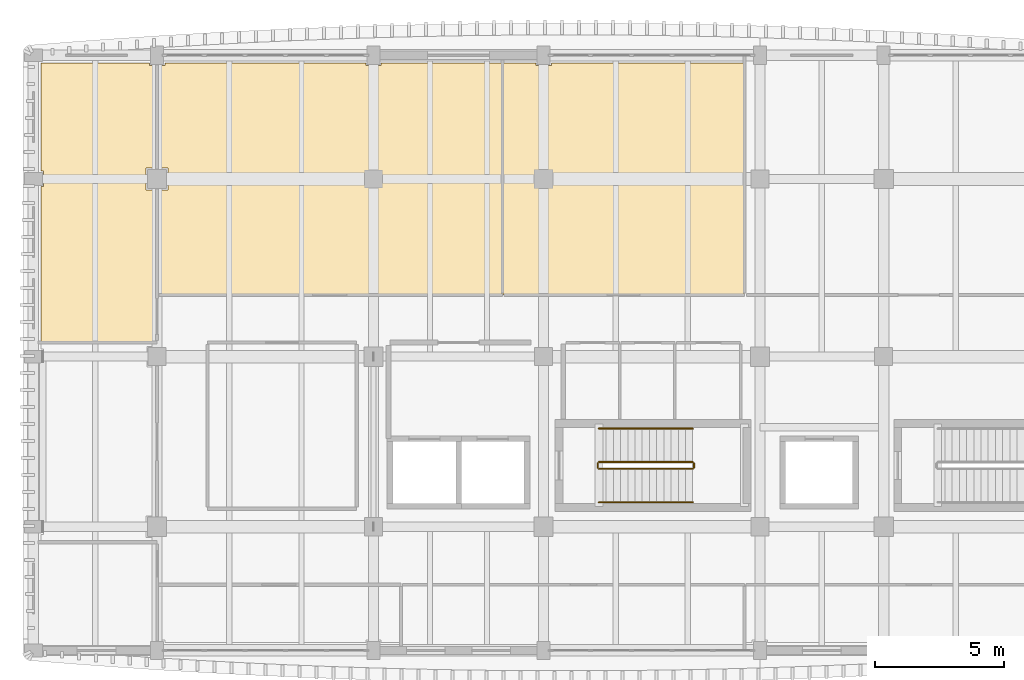
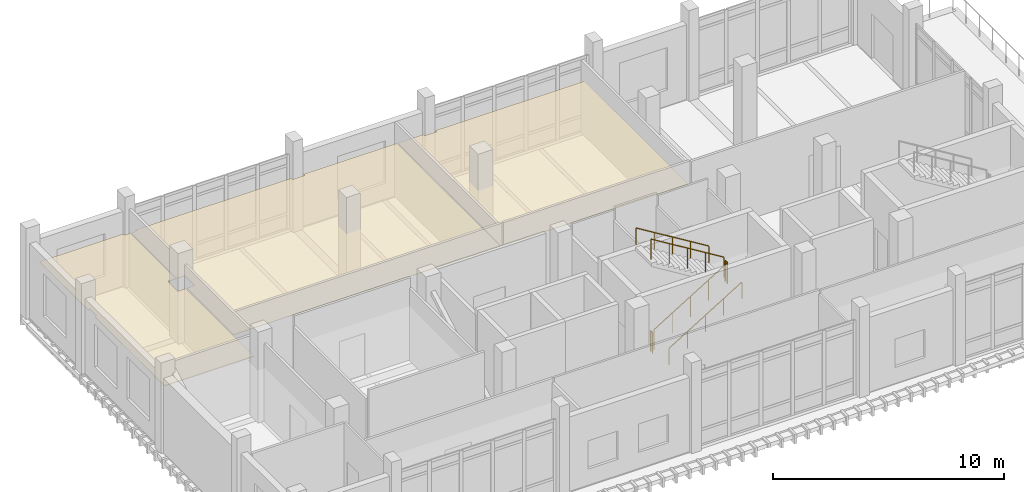
# One storey, part 36 of 50: 6 railings, 3 coverings.
"""IFC4 building model written with IfcOpenShell, lengths in metres."""

from ifc_helpers import new_model, si_unit, direction, frame, origin, origin_2d, place, context, subcontext, project, spatial, polyline, circle, outline, extrude, material, layer, layer_set, type_object, element, save


model = new_model("IFC4")

# Units and contexts
model_context = context("Model", 3, precision=1e-05, world=origin(), true_north=direction((0.0, 1.0)))
body_context = subcontext(model_context, "Body", "Model", "MODEL_VIEW")
ifc_project = project(units=[si_unit("LENGTHUNIT", "METRE"), si_unit("AREAUNIT", "SQUARE_METRE"), si_unit("VOLUMEUNIT", "CUBIC_METRE"), si_unit("PLANEANGLEUNIT", "RADIAN"), si_unit("MASSUNIT", "GRAM", prefix="KILO")], contexts=[model_context])

# Site, building, storey
site_placement = place(None, origin())
site = spatial("IfcSite", under=ifc_project, at=site_placement, CompositionType="ELEMENT")
building_placement = place(site_placement, origin())
building = spatial("IfcBuilding", under=site, at=building_placement, Name="Dornvale Research Institute", CompositionType="ELEMENT")
storey_placement = place(building_placement, frame((0.0, 0.0, 19.800048828125)))
storey = spatial("IfcBuildingStorey", under=building, at=storey_placement, Name="L04", CompositionType="ELEMENT", Elevation=19.800048828125)

# Coverings
ifc_material_1 = material(Name="Mineral-Fibre Acoustic Lay-In Ceiling Tile System")
ifc_layer_1 = layer(ifc_material_1, 0.02001953125)
ifc_layer_set_1 = layer_set([ifc_layer_1], Name="Mineral-Fibre Acoustic Lay-In Ceiling Tile System")
covering_type = type_object("IfcCoveringType", Name="Covering_Acoustic_Ceiling", PredefinedType="CEILING", material=ifc_layer_set_1)
covering_1_placement = place(storey_placement, frame((0.0, 0.0, 2.849853515625)))
element("IfcCovering", 1, at=covering_1_placement, inside=storey, type_object=covering_type, Name="L04 Climate Dynamics Simulation Laboratory West Alcove suspended ceiling", PredefinedType="CEILING", context=body_context, shape_type="SweptSolid", body=[
    extrude(outline(polyline([(4.375, 116.875), (4.780029296875, 116.875), (4.780029296875, 110.969970703125), (0.300048828125, 110.969970703125), (0.300048828125, 117.0), (0.39990234375, 117.0), (0.39990234375, 117.60009765625), (0.300048828125, 117.60009765625), (0.300048828125, 121.800048828125), (0.39990234375, 121.800048828125), (4.5, 121.800048828125), (4.5, 121.699951171875), (4.780029296875, 121.699951171875), (4.780029296875, 117.72509765625), (4.375, 117.72509765625), (4.375, 116.875)])), origin(), (0.0, 0.0, 1.0), 0.02001953125),
])
covering_2_placement = place(storey_placement, frame((0.0, 0.0, 2.849853515625)))
element("IfcCovering", 2, at=covering_2_placement, inside=storey, type_object=covering_type, Name="L04 Climate Dynamics Simulation Laboratory suspended ceiling", PredefinedType="CEILING", context=body_context, shape_type="SweptSolid", body=[
    extrude(outline(polyline([(12.89990234375, 121.800048828125), (12.89990234375, 121.699951171875), (13.5, 121.699951171875), (13.5, 121.800048828125), (18.179931640625, 121.800048828125), (18.179931640625, 112.820068359375), (4.820068359375, 112.820068359375), (4.820068359375, 116.875), (5.22509765625, 116.875), (5.22509765625, 117.72509765625), (4.820068359375, 117.72509765625), (4.820068359375, 121.699951171875), (5.10009765625, 121.699951171875), (5.10009765625, 121.800048828125), (12.89990234375, 121.800048828125)])), origin(), (0.0, 0.0, 1.0), 0.02001953125),
])
covering_3_placement = place(storey_placement, frame((0.0, 0.0, 2.849853515625)))
element("IfcCovering", 3, at=covering_3_placement, inside=storey, type_object=covering_type, Name="L04 Statistical Genomics Laboratory suspended ceiling", PredefinedType="CEILING", context=body_context, shape_type="SweptSolid", body=[
    extrude(outline(polyline([(18.219970703125, 112.820068359375), (18.219970703125, 121.800048828125), (19.5, 121.800048828125), (19.5, 121.699951171875), (20.10009765625, 121.699951171875), (20.10009765625, 121.800048828125), (27.580078125, 121.800048828125), (27.580078125, 112.820068359375), (18.219970703125, 112.820068359375)])), origin(), (0.0, 0.0, 1.0), 0.02001953125),
])

# Railings
ifc_material_2 = material(Name="Galvanized Painted Tubular Steel Stair Rail", Category="steel")
ifc_layer_2 = layer(ifc_material_2, 0.050048828125)
ifc_layer_set_2 = layer_set([ifc_layer_2], Name="Galvanized Painted Tubular Steel Stair Rail")
railing_type_1 = type_object("IfcRailingType", Name="Railing_Stair_Guard_1100", PredefinedType="GUARDRAIL", material=ifc_layer_set_2)
railing_1_placement = place(storey_placement, frame((21.949951171875, 106.050048828125, 0.17138671875)))
element("IfcRailing", 4, at=railing_1_placement, inside=storey, type_object=railing_type_1, Name="L04 ST-1 stair guard 1", PredefinedType="GUARDRAIL", context=body_context, shape_type="SweptSolid", body=[
    extrude(circle(Radius=0.02392578125, at=origin_2d()), frame((0.0, 0.0, 1.076171875), z_axis=(0.852865859571, 0.0, 0.52213008492), x_axis=(0.0, 1.0, 0.0)), (0.0, 0.0, 1.0), 4.26806640625),
    extrude(circle(Radius=0.02099609375, at=origin_2d()), origin(), (0.0, 0.0, 1.0), 1.052001953125),
    extrude(circle(Radius=0.02099609375, at=origin_2d()), frame((0.91015625, 0.0, 0.55712890625)), (0.0, 0.0, 1.0), 1.052001953125),
    extrude(circle(Radius=0.02099609375, at=origin_2d()), frame((1.820068359375, 0.0, 1.1142578125)), (0.0, 0.0, 1.0), 1.052001953125),
    extrude(circle(Radius=0.02099609375, at=origin_2d()), frame((2.72998046875, 0.0, 1.67138671875)), (0.0, 0.0, 1.0), 1.052001953125),
    extrude(circle(Radius=0.02099609375, at=origin_2d()), frame((3.64013671875, 0.0, 2.228515625)), (0.0, 0.0, 1.0), 1.052001953125),
])
railing_2_placement = place(storey_placement, frame((25.639892578125, 106.10009765625, 2.39990234375)))
element("IfcRailing", 5, at=railing_2_placement, inside=storey, type_object=railing_type_1, Name="L04 ST-1 stair guard 2", PredefinedType="GUARDRAIL", context=body_context, shape_type="SweptSolid", body=[
    extrude(circle(Radius=0.02392578125, at=origin_2d()), frame((0.0, 0.0, 1.076171875), z_axis=(0.0, 1.0, 0.0), x_axis=(-1.0, 0.0, 0.0)), (0.0, 0.0, 1.0), 0.159912109375),
    extrude(circle(Radius=0.02099609375, at=origin_2d()), origin(), (0.0, 0.0, 1.0), 1.052001953125),
    extrude(circle(Radius=0.02099609375, at=origin_2d()), frame((0.0, 0.159912109375, 0.0)), (0.0, 0.0, 1.0), 1.052001953125),
])
railing_3_placement = place(storey_placement, frame((25.590087890625, 106.31005859375, 2.5712890625)))
element("IfcRailing", 6, at=railing_3_placement, inside=storey, type_object=railing_type_1, Name="L04 ST-1 stair guard 3", PredefinedType="GUARDRAIL", context=body_context, shape_type="SweptSolid", body=[
    extrude(circle(Radius=0.02392578125, at=origin_2d()), frame((0.0, 0.0, 1.076171875), z_axis=(-0.852840387347, 0.0, 0.522171689878), x_axis=(0.0, -1.0, 0.0)), (0.0, 0.0, 1.0), 4.268310546875),
    extrude(circle(Radius=0.02099609375, at=origin_2d()), origin(), (0.0, 0.0, 1.0), 1.052001953125),
    extrude(circle(Radius=0.02099609375, at=origin_2d()), frame((-0.91015625, 0.0, 0.55712890625)), (0.0, 0.0, 1.0), 1.052001953125),
    extrude(circle(Radius=0.02099609375, at=origin_2d()), frame((-1.820068359375, 0.0, 1.1142578125)), (0.0, 0.0, 1.0), 1.052001953125),
    extrude(circle(Radius=0.02099609375, at=origin_2d()), frame((-2.72998046875, 0.0, 1.671630859375)), (0.0, 0.0, 1.0), 1.052001953125),
    extrude(circle(Radius=0.02099609375, at=origin_2d()), frame((-3.64013671875, 0.0, 2.228759765625)), (0.0, 0.0, 1.0), 1.052001953125),
])
railing_4_placement = place(storey_placement, frame((21.89990234375, 106.10009765625, 0.0)))
element("IfcRailing", 7, at=railing_4_placement, inside=storey, type_object=railing_type_1, Name="L04 ST-1 stair guard 4", PredefinedType="GUARDRAIL", context=body_context, shape_type="SweptSolid", body=[
    extrude(circle(Radius=0.02392578125, at=origin_2d()), frame((0.0, 0.0, 1.076171875), z_axis=(0.0, 1.0, 0.0), x_axis=(-1.0, 0.0, 0.0)), (0.0, 0.0, 1.0), 0.159912109375),
    extrude(circle(Radius=0.02099609375, at=origin_2d()), origin(), (0.0, 0.0, 1.0), 1.052001953125),
    extrude(circle(Radius=0.02099609375, at=origin_2d()), frame((0.0, 0.159912109375, 0.0)), (0.0, 0.0, 1.0), 1.052001953125),
])
ifc_material_3 = material(Name="Galvanized Painted Tubular Steel Stair Rail", Category="steel")
ifc_layer_3 = layer(ifc_material_3, 0.044921875)
ifc_layer_set_3 = layer_set([ifc_layer_3], Name="Galvanized Painted Tubular Steel Stair Rail")
railing_type_2 = type_object("IfcRailingType", Name="Railing_Stair_Handrail_900", PredefinedType="HANDRAIL", material=ifc_layer_set_3)
railing_5_placement = place(storey_placement, frame((21.949951171875, 104.75, 0.17138671875)))
element("IfcRailing", 8, at=railing_5_placement, inside=storey, type_object=railing_type_2, Name="L04 ST-1 stair handrail 1", PredefinedType="HANDRAIL", context=body_context, shape_type="SweptSolid", body=[
    extrude(circle(Radius=0.02392578125, at=origin_2d()), frame((0.0, 0.0, 0.8759765625), z_axis=(0.852865859571, 0.0, 0.52213008492), x_axis=(0.0, 1.0, 0.0)), (0.0, 0.0, 1.0), 4.26806640625),
    extrude(circle(Radius=0.02099609375, at=origin_2d()), origin(), (0.0, 0.0, 1.0), 0.851806640625),
    extrude(circle(Radius=0.02099609375, at=origin_2d()), frame((0.91015625, 0.0, 0.55712890625)), (0.0, 0.0, 1.0), 0.851806640625),
    extrude(circle(Radius=0.02099609375, at=origin_2d()), frame((1.820068359375, 0.0, 1.1142578125)), (0.0, 0.0, 1.0), 0.851806640625),
    extrude(circle(Radius=0.02099609375, at=origin_2d()), frame((2.72998046875, 0.0, 1.67138671875)), (0.0, 0.0, 1.0), 0.851806640625),
    extrude(circle(Radius=0.02099609375, at=origin_2d()), frame((3.64013671875, 0.0, 2.228515625)), (0.0, 0.0, 1.0), 0.851806640625),
])
railing_6_placement = place(storey_placement, frame((25.590087890625, 107.610107421875, 2.5712890625)))
element("IfcRailing", 9, at=railing_6_placement, inside=storey, type_object=railing_type_2, Name="L04 ST-1 stair handrail 2", PredefinedType="HANDRAIL", context=body_context, shape_type="SweptSolid", body=[
    extrude(circle(Radius=0.02392578125, at=origin_2d()), frame((0.0, 0.0, 0.8759765625), z_axis=(-0.852840387347, 0.0, 0.522171689878), x_axis=(0.0, -1.0, 0.0)), (0.0, 0.0, 1.0), 4.268310546875),
    extrude(circle(Radius=0.02099609375, at=origin_2d()), origin(), (0.0, 0.0, 1.0), 0.851806640625),
    extrude(circle(Radius=0.02099609375, at=origin_2d()), frame((-0.91015625, 0.0, 0.55712890625)), (0.0, 0.0, 1.0), 0.851806640625),
    extrude(circle(Radius=0.02099609375, at=origin_2d()), frame((-1.820068359375, 0.0, 1.1142578125)), (0.0, 0.0, 1.0), 0.851806640625),
    extrude(circle(Radius=0.02099609375, at=origin_2d()), frame((-2.72998046875, 0.0, 1.671630859375)), (0.0, 0.0, 1.0), 0.851806640625),
    extrude(circle(Radius=0.02099609375, at=origin_2d()), frame((-3.64013671875, 0.0, 2.228759765625)), (0.0, 0.0, 1.0), 0.851806640625),
])

save(model, "model.ifc")
